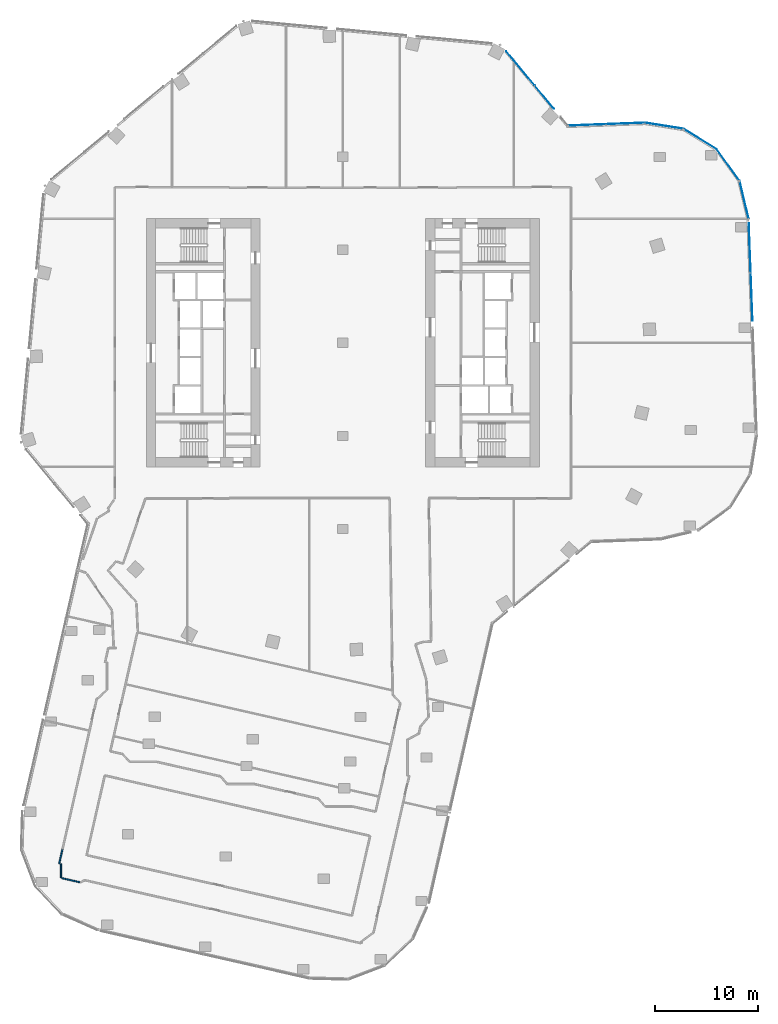
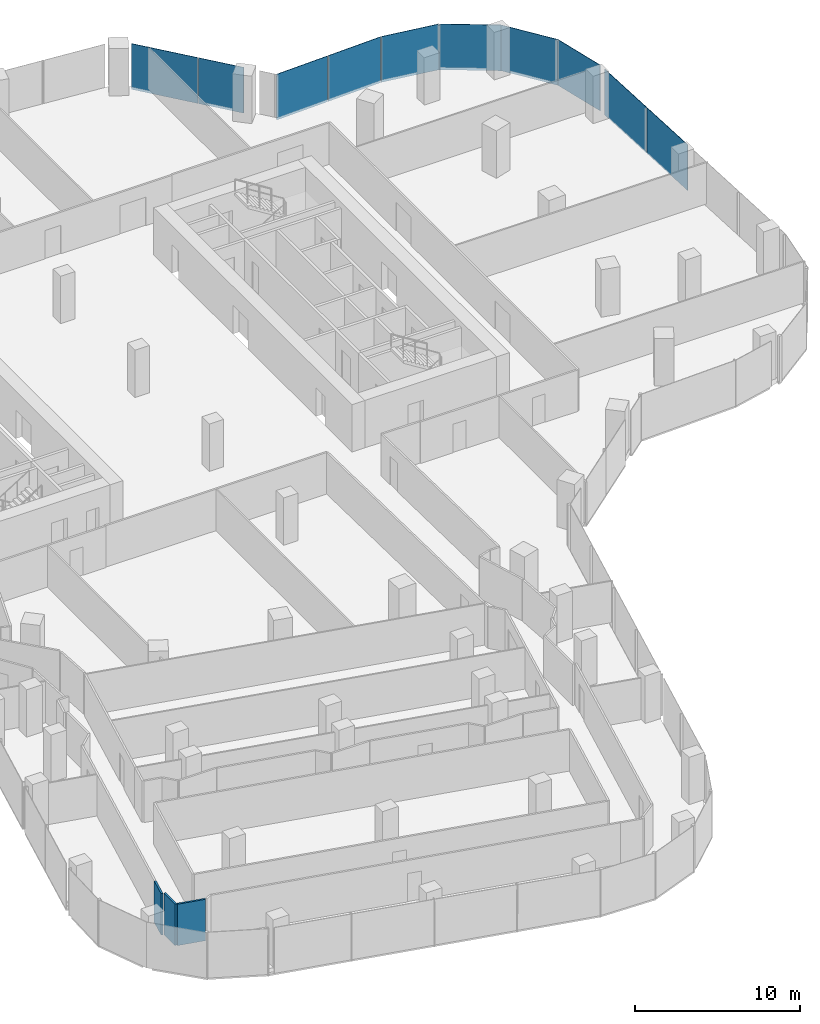
# One storey, part 17 of 24: 10 plates, 3 walls, 7 elements without a shape of their own.
"""IFC4 building model written with IfcOpenShell, lengths in metres."""

from ifc_helpers import new_model, si_unit, direction, frame, frame_2d, origin, origin_2d, place, context, subcontext, project, spatial, rectangle, extrude, material, layer, layer_set, type_object, element, aggregate, save


model = new_model("IFC4")

# Units and contexts
model_context = context("Model", 3, precision=1e-05, world=origin(), true_north=direction((0.0, 1.0)))
body_context = subcontext(model_context, "Body", "Model", "MODEL_VIEW")
ifc_project = project(units=[si_unit("LENGTHUNIT", "METRE"), si_unit("AREAUNIT", "SQUARE_METRE"), si_unit("VOLUMEUNIT", "CUBIC_METRE"), si_unit("PLANEANGLEUNIT", "RADIAN"), si_unit("MASSUNIT", "GRAM", prefix="KILO")], contexts=[model_context])

# Site, building, storey
site_placement = place(None, origin())
site = spatial("IfcSite", under=ifc_project, at=site_placement, CompositionType="ELEMENT")
building_placement = place(site_placement, origin())
building = spatial("IfcBuilding", under=site, at=building_placement, Name="Orlundy Tower", CompositionType="ELEMENT")
storey_placement = place(building_placement, frame((0.0, 0.0, 170.60009765625)))
storey = spatial("IfcBuildingStorey", under=building, at=storey_placement, Name="L44", CompositionType="ELEMENT", Elevation=170.60009765625)

# Curtain wall, plates
ifc_material_1 = material(Name="Aluminium bronze anodised", Category="aluminium")
curtain_wall_type = type_object("IfcCurtainWallType", Name="CW1 wall", PredefinedType="NOTDEFINED", material=ifc_material_1)
curtain_wall_1_placement = place(storey_placement, origin())
curtain_wall_1 = element("IfcCurtainWall", 1, at=curtain_wall_1_placement, inside=storey, type_object=curtain_wall_type, Name="CW1 run 05", PredefinedType="NOTDEFINED")
ifc_material_2 = material(Name="Tinted glass", Category="glass")
ifc_layer_1 = layer(ifc_material_2, 0.031982421875)
ifc_layer_set_1 = layer_set([ifc_layer_1], Name="CW1 glass panel 32")
plate_type = type_object("IfcPlateType", Name="CW1 glass panel 32", PredefinedType="CURTAIN_PANEL", material=ifc_layer_set_1)
plate_1_placement = place(storey_placement, frame((17.16748046875, 26.55224609375, -0.300048828125), z_axis=(0.0, 0.0, 1.0), x_axis=(0.638299162368, -0.769788399055, 0.0)))
plate_1 = element("IfcPlate", 2, at=plate_1_placement, type_object=plate_type, Name="CW1 panel", PredefinedType="CURTAIN_PANEL", context=body_context, shape_type="SweptSolid", body=[
    extrude(rectangle(XDim=4.295166015625, YDim=0.031982421875, at=origin_2d()), origin(), (0.0, 0.0, 1.0), 3.3798828125),
])
plate_2_placement = place(storey_placement, frame((19.498291015625, 23.7412109375, -0.300048828125), z_axis=(0.0, 0.0, 1.0), x_axis=(0.638299162368, -0.769788399055, 0.0)))
plate_2 = element("IfcPlate", 3, at=plate_2_placement, type_object=plate_type, Name="CW1 panel", PredefinedType="CURTAIN_PANEL", context=body_context, shape_type="SweptSolid", body=[
    extrude(rectangle(XDim=2.907958984375, YDim=0.031982421875, at=origin_2d()), origin(), (0.0, 0.0, 1.0), 3.3798828125),
])
aggregate(curtain_wall_1, [plate_1, plate_2])

curtain_wall_2_placement = place(storey_placement, origin())
curtain_wall_2 = element("IfcCurtainWall", 4, at=curtain_wall_2_placement, inside=storey, type_object=curtain_wall_type, Name="CW1 run 06", PredefinedType="NOTDEFINED")
plate_3_placement = place(storey_placement, frame((23.598388671875, 21.0712890625, -0.300048828125), z_axis=(0.0, 0.0, 1.0), x_axis=(0.99928394031, 0.037836578056, 0.0)))
plate_3 = element("IfcPlate", 5, at=plate_3_placement, type_object=plate_type, Name="CW1 panel", PredefinedType="CURTAIN_PANEL", context=body_context, shape_type="SweptSolid", body=[
    extrude(rectangle(XDim=3.660400390625, YDim=0.031982421875, at=origin_2d()), origin(), (0.0, 0.0, 1.0), 3.3798828125),
])
plate_4_placement = place(storey_placement, frame((27.342041015625, 21.212890625, -0.300048828125), z_axis=(0.0, 0.0, 1.0), x_axis=(0.99928394031, 0.037836578056, 0.0)))
plate_4 = element("IfcPlate", 6, at=plate_4_placement, type_object=plate_type, Name="CW1 panel", PredefinedType="CURTAIN_PANEL", context=body_context, shape_type="SweptSolid", body=[
    extrude(rectangle(XDim=3.732177734375, YDim=0.031982421875, at=origin_2d()), origin(), (0.0, 0.0, 1.0), 3.3798828125),
])
aggregate(curtain_wall_2, [plate_3, plate_4])

# Curtain wall, plate
curtain_wall_3_placement = place(storey_placement, origin())
curtain_wall_3 = element("IfcCurtainWall", 7, at=curtain_wall_3_placement, inside=storey, type_object=curtain_wall_type, Name="CW1 run 07", PredefinedType="NOTDEFINED")
plate_5_placement = place(storey_placement, frame((31.098876953125, 20.986083984375, -0.300048828125), z_axis=(0.0, 0.0, 1.0), x_axis=(0.987472591866, -0.157790621756, 0.0)))
plate_5 = element("IfcPlate", 8, at=plate_5_placement, type_object=plate_type, Name="CW1 panel", PredefinedType="CURTAIN_PANEL", context=body_context, shape_type="SweptSolid", body=[
    extrude(rectangle(XDim=3.731201171875, YDim=0.031982421875, at=origin_2d()), origin(), (0.0, 0.0, 1.0), 3.3798828125),
])
aggregate(curtain_wall_3, [plate_5])

curtain_wall_4_placement = place(storey_placement, origin())
curtain_wall_4 = element("IfcCurtainWall", 9, at=curtain_wall_4_placement, inside=storey, type_object=curtain_wall_type, Name="CW1 run 08", PredefinedType="NOTDEFINED")
plate_6_placement = place(storey_placement, frame((34.54736328125, 19.70361328125, -0.300048828125), z_axis=(0.0, 0.0, 1.0), x_axis=(0.85175093776, -0.523946886645, 0.0)))
plate_6 = element("IfcPlate", 10, at=plate_6_placement, type_object=plate_type, Name="CW1 panel", PredefinedType="CURTAIN_PANEL", context=body_context, shape_type="SweptSolid", body=[
    extrude(rectangle(XDim=3.771728515625, YDim=0.031982421875, at=origin_2d()), origin(), (0.0, 0.0, 1.0), 3.3798828125),
])
aggregate(curtain_wall_4, [plate_6])

curtain_wall_5_placement = place(storey_placement, origin())
curtain_wall_5 = element("IfcCurtainWall", 11, at=curtain_wall_5_placement, inside=storey, type_object=curtain_wall_type, Name="CW1 run 09", PredefinedType="NOTDEFINED")
plate_7_placement = place(storey_placement, frame((37.26025390625, 17.188232421875, -0.300048828125), z_axis=(0.0, 0.0, 1.0), x_axis=(0.586711161355, -0.80979627879, 0.0)))
plate_7 = element("IfcPlate", 12, at=plate_7_placement, type_object=plate_type, Name="CW1 panel", PredefinedType="CURTAIN_PANEL", context=body_context, shape_type="SweptSolid", body=[
    extrude(rectangle(XDim=3.772216796875, YDim=0.031982421875, at=origin_2d()), origin(), (0.0, 0.0, 1.0), 3.3798828125),
])
aggregate(curtain_wall_5, [plate_7])

curtain_wall_6_placement = place(storey_placement, origin())
curtain_wall_6 = element("IfcCurtainWall", 13, at=curtain_wall_6_placement, inside=storey, type_object=curtain_wall_type, Name="CW1 run 010", PredefinedType="NOTDEFINED")
plate_8_placement = place(storey_placement, frame((38.7998046875, 13.8466796875, -0.300048828125), z_axis=(0.0, 0.0, 1.0), x_axis=(0.23204608122, -0.972704793959, 0.0)))
plate_8 = element("IfcPlate", 14, at=plate_8_placement, type_object=plate_type, Name="CW1 panel", PredefinedType="CURTAIN_PANEL", context=body_context, shape_type="SweptSolid", body=[
    extrude(rectangle(XDim=3.729736328125, YDim=0.031982421875, at=origin_2d()), origin(), (0.0, 0.0, 1.0), 3.3798828125),
])
aggregate(curtain_wall_6, [plate_8])

# Curtain wall, plates
curtain_wall_7_placement = place(storey_placement, origin())
curtain_wall_7 = element("IfcCurtainWall", 15, at=curtain_wall_7_placement, inside=storey, type_object=curtain_wall_type, Name="CW1 run 011", PredefinedType="NOTDEFINED")
plate_9_placement = place(storey_placement, frame((39.345703125, 9.168701171875, -0.300048828125), z_axis=(0.0, 0.0, 1.0), x_axis=(0.03780949547, -0.999284965389, 0.0)))
plate_9 = element("IfcPlate", 16, at=plate_9_placement, type_object=plate_type, Name="CW1 panel", PredefinedType="CURTAIN_PANEL", context=body_context, shape_type="SweptSolid", body=[
    extrude(rectangle(XDim=4.798828125, YDim=0.031982421875, at=origin_2d()), origin(), (0.0, 0.0, 1.0), 3.3798828125),
])
plate_10_placement = place(storey_placement, frame((39.525390625, 4.4208984375, -0.300048828125), z_axis=(0.0, 0.0, 1.0), x_axis=(0.03780949547, -0.999284965389, 0.0)))
plate_10 = element("IfcPlate", 17, at=plate_10_placement, type_object=plate_type, Name="CW1 panel", PredefinedType="CURTAIN_PANEL", context=body_context, shape_type="SweptSolid", body=[
    extrude(rectangle(XDim=4.603271484375, YDim=0.031982421875, at=origin_2d()), origin(), (0.0, 0.0, 1.0), 3.3798828125),
])
aggregate(curtain_wall_7, [plate_9, plate_10])

# Walls
ifc_material_3 = material(Name="Gypsum board partition, double layer")
ifc_layer_2 = layer(ifc_material_3, 0.125)
ifc_layer_set_2 = layer_set([ifc_layer_2], Name="Floor partition 125")
wall_type = type_object("IfcWallType", Name="Floor partition 125", PredefinedType="PARTITIONING", material=ifc_layer_set_2)
wall_1_placement = place(storey_placement, frame((-27.173095703125, -51.758056640625, 0.0), z_axis=(0.0, 0.0, 1.0), x_axis=(0.975050579035, -0.221982810874, 0.0)))
element("IfcWall", 18, at=wall_1_placement, inside=storey, type_object=wall_type, Name="wall-int-L44-014", PredefinedType="PARTITIONING", context=body_context, shape_type="SweptSolid", body=[
    extrude(rectangle(XDim=1.779541015625, YDim=0.125, at=frame_2d((0.8896484375, 0.0))), origin(), (0.0, 0.0, 1.0), 3.059814453125),
])
wall_2_placement = place(storey_placement, frame((-27.431884765625, -50.382080078125, 0.0), z_axis=(0.0, 0.0, 1.0), x_axis=(0.221673255789, 0.975121001552, 0.0)))
element("IfcWall", 19, at=wall_2_placement, inside=storey, type_object=wall_type, Name="wall-int-L44-069", PredefinedType="PARTITIONING", context=body_context, shape_type="SweptSolid", body=[
    extrude(rectangle(XDim=1.416259765625, YDim=0.125, at=frame_2d((0.7080078125, 0.0))), origin(), (0.0, 0.0, 1.0), 3.059814453125),
])
wall_3_placement = place(storey_placement, frame((-27.2490234375, -51.740966796875, 0.0), z_axis=(0.0, 0.0, 1.0), x_axis=(0.0, 1.0, 0.0)))
element("IfcWall", 20, at=wall_3_placement, inside=storey, type_object=wall_type, Name="wall-int-L44-085", PredefinedType="PARTITIONING", context=body_context, shape_type="SweptSolid", body=[
    extrude(rectangle(XDim=1.35888671875, YDim=0.125, at=frame_2d((0.679443359375, 0.0))), origin(), (0.0, 0.0, 1.0), 3.059814453125),
])

save(model, "model.ifc")
